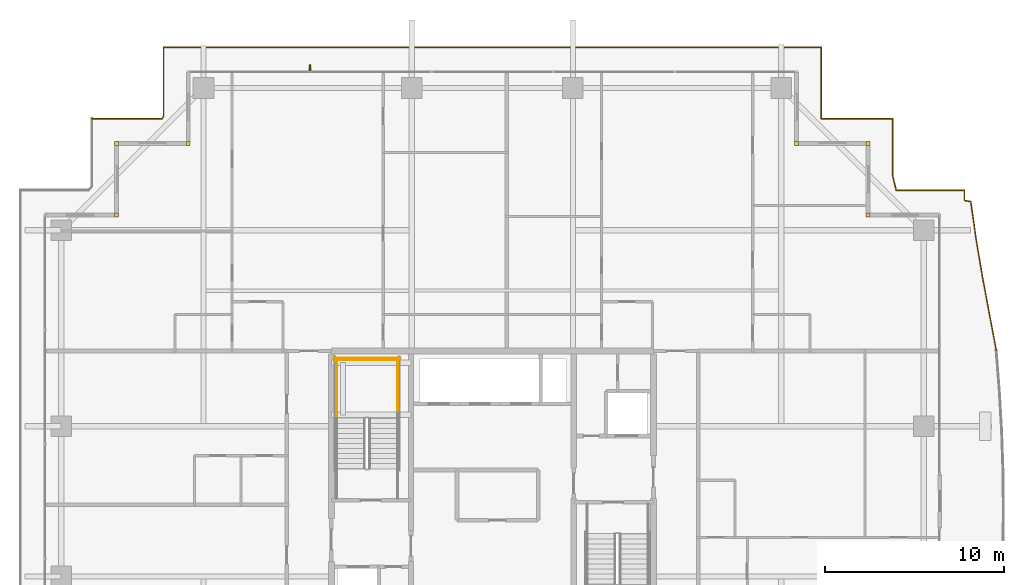
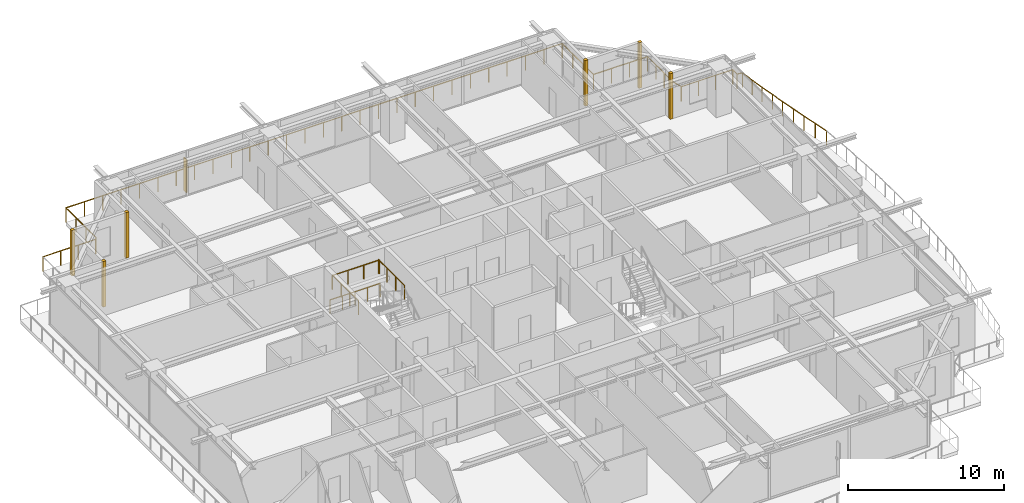
# One storey, part 37 of 37: 6 coverings, 6 railings, 1 shading device.
"""IFC4 building model written with IfcOpenShell, lengths in metres."""

from ifc_helpers import new_model, si_unit, direction, frame, origin, origin_2d, place, context, subcontext, project, spatial, rectangle, circle, extrude, source, transform, mapped, material, layer, layer_set, type_object, element, save


model = new_model("IFC4")

# Units and contexts
model_context = context("Model", 3, precision=1e-05, world=origin(), true_north=direction((0.0, 1.0)))
body_context = subcontext(model_context, "Body", "Model", "MODEL_VIEW")
ifc_project = project(units=[si_unit("LENGTHUNIT", "METRE"), si_unit("AREAUNIT", "SQUARE_METRE"), si_unit("VOLUMEUNIT", "CUBIC_METRE"), si_unit("PLANEANGLEUNIT", "RADIAN"), si_unit("MASSUNIT", "GRAM", prefix="KILO")], contexts=[model_context])

# Site, building, storey
site_placement = place(None, origin())
site = spatial("IfcSite", under=ifc_project, at=site_placement, CompositionType="ELEMENT")
building_placement = place(site_placement, origin())
building = spatial("IfcBuilding", under=site, at=building_placement, Name="Serunith Strait Residences", CompositionType="ELEMENT")
storey_placement = place(building_placement, frame((0.0, 0.0, 275.89990234375)))
storey = spatial("IfcBuildingStorey", under=building, at=storey_placement, Name="L69", CompositionType="ELEMENT", Elevation=275.89990234375)

# Railings
ifc_material_1 = material(Name="Stainless Steel & Laminated Glass Balustrade", Category="steel")
railing_type_1 = type_object("IfcRailingType", Name="RLG-BALC-1150", PredefinedType="BALUSTRADE", material=ifc_material_1)
railing_1_placement = place(storey_placement, frame((10.02001953125, 46.580078125, -0.0498046875)))
element("IfcRailing", 1, at=railing_1_placement, inside=storey, type_object=railing_type_1, Name="L69 Swirling Balcony Perimeter Balustrade 2", PredefinedType="BALUSTRADE", context=body_context, shape_type="SweptSolid", body=[
    extrude(circle(Radius=0.02392578125, at=origin_2d()), frame((0.001953125, 0.0, 1.1259765625), z_axis=(1.0, 0.0, 0.0), x_axis=(0.0, 1.0, 0.0)), (0.0, 0.0, 1.0), 3.89501953125),
    extrude(circle(Radius=0.02392578125, at=origin_2d()), frame((3.89990234375, 0.001708984375, 1.1259765625), z_axis=(0.547356223896, 0.836899733638, 0.0), x_axis=(-0.836899733638, 0.547356223896, 0.0)), (0.0, 0.0, 1.0), 0.1806640625),
    extrude(circle(Radius=0.02392578125, at=origin_2d()), frame((4.0, 0.156494140625, 1.1259765625), z_axis=(0.0, 1.0, 0.0), x_axis=(-1.0, 0.0, 0.0)), (0.0, 0.0, 1.0), 3.841552734375),
    extrude(circle(Radius=0.02392578125, at=origin_2d()), frame((4.001953125, 4.0, 1.1259765625), z_axis=(1.0, 0.0, 0.0), x_axis=(0.0, 1.0, 0.0)), (0.0, 0.0, 1.0), 36.756103515625),
    extrude(circle(Radius=0.02392578125, at=origin_2d()), frame((40.760009765625, 3.998046875, 1.1259765625), z_axis=(0.0, -1.0, 0.0), x_axis=(1.0, 0.0, 0.0)), (0.0, 0.0, 1.0), 3.99609375),
    extrude(circle(Radius=0.02392578125, at=origin_2d()), frame((40.761962890625, 0.0, 1.1259765625), z_axis=(1.0, 0.0, 0.0), x_axis=(0.0, 1.0, 0.0)), (0.0, 0.0, 1.0), 3.99609375),
    extrude(circle(Radius=0.02392578125, at=origin_2d()), frame((44.760009765625, -0.001953125, 1.1259765625), z_axis=(0.0, -1.0, 0.0), x_axis=(1.0, 0.0, 0.0)), (0.0, 0.0, 1.0), 3.210205078125),
    extrude(circle(Radius=0.02392578125, at=origin_2d()), frame((44.760498046875, -3.216064453125, 1.1259765625), z_axis=(0.236921440453, -0.971528811232, 0.0), x_axis=(0.971528811232, 0.236921440453, 0.0)), (0.0, 0.0, 1.0), 0.804931640625),
    extrude(circle(Radius=0.02099609375, at=origin_2d()), origin(), (0.0, 0.0, 1.0), 1.099853515625),
    extrude(circle(Radius=0.02099609375, at=origin_2d()), frame((1.299560546875, 0.0, 0.0)), (0.0, 0.0, 1.0), 1.099853515625),
    extrude(circle(Radius=0.02099609375, at=origin_2d()), frame((2.599365234375, 0.0, 0.0)), (0.0, 0.0, 1.0), 1.099853515625),
    extrude(circle(Radius=0.02099609375, at=origin_2d()), frame((3.89892578125, 0.0, 0.0)), (0.0, 0.0, 1.0), 1.099853515625),
    extrude(circle(Radius=0.02099609375, at=origin_2d()), frame((4.0, 0.154541015625, 0.0)), (0.0, 0.0, 1.0), 1.099853515625),
    extrude(circle(Radius=0.02099609375, at=origin_2d()), frame((4.0, 1.436279296875, 0.0)), (0.0, 0.0, 1.0), 1.099853515625),
    extrude(circle(Radius=0.02099609375, at=origin_2d()), frame((4.0, 2.71826171875, 0.0)), (0.0, 0.0, 1.0), 1.099853515625),
    extrude(circle(Radius=0.02099609375, at=origin_2d()), frame((4.0, 4.0, 0.0)), (0.0, 0.0, 1.0), 1.099853515625),
    extrude(circle(Radius=0.02099609375, at=origin_2d()), frame((5.361572265625, 4.0, 0.0)), (0.0, 0.0, 1.0), 1.099853515625),
    extrude(circle(Radius=0.02099609375, at=origin_2d()), frame((6.722900390625, 4.0, 0.0)), (0.0, 0.0, 1.0), 1.099853515625),
    extrude(circle(Radius=0.02099609375, at=origin_2d()), frame((8.08447265625, 4.0, 0.0)), (0.0, 0.0, 1.0), 1.099853515625),
    extrude(circle(Radius=0.02099609375, at=origin_2d()), frame((9.446044921875, 4.0, 0.0)), (0.0, 0.0, 1.0), 1.099853515625),
    extrude(circle(Radius=0.02099609375, at=origin_2d()), frame((10.807373046875, 4.0, 0.0)), (0.0, 0.0, 1.0), 1.099853515625),
    extrude(circle(Radius=0.02099609375, at=origin_2d()), frame((12.1689453125, 4.0, 0.0)), (0.0, 0.0, 1.0), 1.099853515625),
    extrude(circle(Radius=0.02099609375, at=origin_2d()), frame((13.5302734375, 4.0, 0.0)), (0.0, 0.0, 1.0), 1.099853515625),
    extrude(circle(Radius=0.02099609375, at=origin_2d()), frame((14.891845703125, 4.0, 0.0)), (0.0, 0.0, 1.0), 1.099853515625),
    extrude(circle(Radius=0.02099609375, at=origin_2d()), frame((16.25341796875, 4.0, 0.0)), (0.0, 0.0, 1.0), 1.099853515625),
    extrude(circle(Radius=0.02099609375, at=origin_2d()), frame((17.61474609375, 4.0, 0.0)), (0.0, 0.0, 1.0), 1.099853515625),
    extrude(circle(Radius=0.02099609375, at=origin_2d()), frame((18.976318359375, 4.0, 0.0)), (0.0, 0.0, 1.0), 1.099853515625),
    extrude(circle(Radius=0.02099609375, at=origin_2d()), frame((20.337890625, 4.0, 0.0)), (0.0, 0.0, 1.0), 1.099853515625),
    extrude(circle(Radius=0.02099609375, at=origin_2d()), frame((21.69921875, 4.0, 0.0)), (0.0, 0.0, 1.0), 1.099853515625),
    extrude(circle(Radius=0.02099609375, at=origin_2d()), frame((23.060791015625, 4.0, 0.0)), (0.0, 0.0, 1.0), 1.099853515625),
    extrude(circle(Radius=0.02099609375, at=origin_2d()), frame((24.422119140625, 4.0, 0.0)), (0.0, 0.0, 1.0), 1.099853515625),
    extrude(circle(Radius=0.02099609375, at=origin_2d()), frame((25.78369140625, 4.0, 0.0)), (0.0, 0.0, 1.0), 1.099853515625),
    extrude(circle(Radius=0.02099609375, at=origin_2d()), frame((27.145263671875, 4.0, 0.0)), (0.0, 0.0, 1.0), 1.099853515625),
    extrude(circle(Radius=0.02099609375, at=origin_2d()), frame((28.506591796875, 4.0, 0.0)), (0.0, 0.0, 1.0), 1.099853515625),
    extrude(circle(Radius=0.02099609375, at=origin_2d()), frame((29.8681640625, 4.0, 0.0)), (0.0, 0.0, 1.0), 1.099853515625),
    extrude(circle(Radius=0.02099609375, at=origin_2d()), frame((31.229736328125, 4.0, 0.0)), (0.0, 0.0, 1.0), 1.099853515625),
    extrude(circle(Radius=0.02099609375, at=origin_2d()), frame((32.591064453125, 4.0, 0.0)), (0.0, 0.0, 1.0), 1.099853515625),
    extrude(circle(Radius=0.02099609375, at=origin_2d()), frame((33.95263671875, 4.0, 0.0)), (0.0, 0.0, 1.0), 1.099853515625),
    extrude(circle(Radius=0.02099609375, at=origin_2d()), frame((35.31396484375, 4.0, 0.0)), (0.0, 0.0, 1.0), 1.099853515625),
    extrude(circle(Radius=0.02099609375, at=origin_2d()), frame((36.675537109375, 4.0, 0.0)), (0.0, 0.0, 1.0), 1.099853515625),
    extrude(circle(Radius=0.02099609375, at=origin_2d()), frame((38.037109375, 4.0, 0.0)), (0.0, 0.0, 1.0), 1.099853515625),
    extrude(circle(Radius=0.02099609375, at=origin_2d()), frame((39.3984375, 4.0, 0.0)), (0.0, 0.0, 1.0), 1.099853515625),
    extrude(circle(Radius=0.02099609375, at=origin_2d()), frame((40.760009765625, 4.0, 0.0)), (0.0, 0.0, 1.0), 1.099853515625),
    extrude(circle(Radius=0.02099609375, at=origin_2d()), frame((40.760009765625, 2.666748046875, 0.0)), (0.0, 0.0, 1.0), 1.099853515625),
    extrude(circle(Radius=0.02099609375, at=origin_2d()), frame((40.760009765625, 1.333251953125, 0.0)), (0.0, 0.0, 1.0), 1.099853515625),
    extrude(circle(Radius=0.02099609375, at=origin_2d()), frame((40.760009765625, 0.0, 0.0)), (0.0, 0.0, 1.0), 1.099853515625),
    extrude(circle(Radius=0.02099609375, at=origin_2d()), frame((42.09326171875, 0.0, 0.0)), (0.0, 0.0, 1.0), 1.099853515625),
    extrude(circle(Radius=0.02099609375, at=origin_2d()), frame((43.4267578125, 0.0, 0.0)), (0.0, 0.0, 1.0), 1.099853515625),
    extrude(circle(Radius=0.02099609375, at=origin_2d()), frame((44.760009765625, 0.0, 0.0)), (0.0, 0.0, 1.0), 1.099853515625),
    extrude(circle(Radius=0.02099609375, at=origin_2d()), frame((44.760009765625, -1.0712890625, 0.0)), (0.0, 0.0, 1.0), 1.099853515625),
    extrude(circle(Radius=0.02099609375, at=origin_2d()), frame((44.760009765625, -2.142822265625, 0.0)), (0.0, 0.0, 1.0), 1.099853515625),
    extrude(circle(Radius=0.02099609375, at=origin_2d()), frame((44.760009765625, -3.214111328125, 0.0)), (0.0, 0.0, 1.0), 1.099853515625),
    extrude(circle(Radius=0.02099609375, at=origin_2d()), frame((44.95166015625, -4.0, 0.0)), (0.0, 0.0, 1.0), 1.099853515625),
])
railing_2_placement = place(storey_placement, frame((54.9716796875, 42.580078125, -0.0498046875)))
element("IfcRailing", 2, at=railing_2_placement, inside=storey, type_object=railing_type_1, Name="L69 Swirling Balcony Perimeter Balustrade 3", PredefinedType="BALUSTRADE", context=body_context, shape_type="SweptSolid", body=[
    extrude(circle(Radius=0.02392578125, at=origin_2d()), frame((0.001953125, 0.0, 1.1259765625), z_axis=(1.0, 0.0, 0.0), x_axis=(0.0, 1.0, 0.0)), (0.0, 0.0, 1.0), 3.804443359375),
    extrude(circle(Radius=0.02392578125, at=origin_2d()), frame((3.808349609375, -0.001953125, 1.1259765625), z_axis=(0.0, -1.0, 0.0), x_axis=(1.0, 0.0, 0.0)), (0.0, 0.0, 1.0), 0.559814453125),
    extrude(circle(Radius=0.02392578125, at=origin_2d()), frame((3.810302734375, -0.56396484375, 1.1259765625), z_axis=(0.986138566731, -0.165923859661, 0.0), x_axis=(0.165923859661, 0.986138566731, 0.0)), (0.0, 0.0, 1.0), 0.359375),
    extrude(circle(Radius=0.02392578125, at=origin_2d()), frame((4.1669921875, -0.6259765625, 1.1259765625), z_axis=(0.139985580281, -0.990153542292, 0.0), x_axis=(0.990153542292, 0.139985580281, 0.0)), (0.0, 0.0, 1.0), 2.04345703125),
    extrude(circle(Radius=0.02392578125, at=origin_2d()), frame((4.45361328125, -2.6533203125, 1.1259765625), z_axis=(0.164684908244, -0.98634622775, 0.0), x_axis=(0.98634622775, 0.164684908244, 0.0)), (0.0, 0.0, 1.0), 2.072998046875),
    extrude(circle(Radius=0.02392578125, at=origin_2d()), frame((4.795654296875, -4.701904296875, 1.1259765625), z_axis=(0.182274568181, -0.983247670628, 0.0), x_axis=(0.983247670628, 0.182274568181, 0.0)), (0.0, 0.0, 1.0), 2.118896484375),
    extrude(circle(Radius=0.02392578125, at=origin_2d()), frame((5.182861328125, -6.789306640625, 1.1259765625), z_axis=(0.186685475972, -0.982419733648, 0.0), x_axis=(0.982419733648, 0.186685475972, 0.0)), (0.0, 0.0, 1.0), 2.1787109375),
    extrude(circle(Radius=0.02099609375, at=origin_2d()), origin(), (0.0, 0.0, 1.0), 1.099853515625),
    extrude(circle(Radius=0.02099609375, at=origin_2d()), frame((1.26953125, 0.0, 0.0)), (0.0, 0.0, 1.0), 1.099853515625),
    extrude(circle(Radius=0.02099609375, at=origin_2d()), frame((2.538818359375, 0.0, 0.0)), (0.0, 0.0, 1.0), 1.099853515625),
    extrude(circle(Radius=0.02099609375, at=origin_2d()), frame((3.808349609375, 0.0, 0.0)), (0.0, 0.0, 1.0), 1.099853515625),
    extrude(circle(Radius=0.02099609375, at=origin_2d()), frame((3.808349609375, -0.563720703125, 0.0)), (0.0, 0.0, 1.0), 1.099853515625),
    extrude(circle(Radius=0.02099609375, at=origin_2d()), frame((4.166748046875, -0.6240234375, 0.0)), (0.0, 0.0, 1.0), 1.099853515625),
    extrude(circle(Radius=0.02099609375, at=origin_2d()), frame((4.31005859375, -1.6376953125, 0.0)), (0.0, 0.0, 1.0), 1.099853515625),
    extrude(circle(Radius=0.02099609375, at=origin_2d()), frame((4.453369140625, -2.6513671875, 0.0)), (0.0, 0.0, 1.0), 1.099853515625),
    extrude(circle(Radius=0.02099609375, at=origin_2d()), frame((4.62451171875, -3.67578125, 0.0)), (0.0, 0.0, 1.0), 1.099853515625),
    extrude(circle(Radius=0.02099609375, at=origin_2d()), frame((4.79541015625, -4.699951171875, 0.0)), (0.0, 0.0, 1.0), 1.099853515625),
    extrude(circle(Radius=0.02099609375, at=origin_2d()), frame((4.98876953125, -5.74365234375, 0.0)), (0.0, 0.0, 1.0), 1.099853515625),
    extrude(circle(Radius=0.02099609375, at=origin_2d()), frame((5.182373046875, -6.787353515625, 0.0)), (0.0, 0.0, 1.0), 1.099853515625),
    extrude(circle(Radius=0.02099609375, at=origin_2d()), frame((5.38623046875, -7.859375, 0.0)), (0.0, 0.0, 1.0), 1.099853515625),
    extrude(circle(Radius=0.02099609375, at=origin_2d()), frame((5.58984375, -8.931640625, 0.0)), (0.0, 0.0, 1.0), 1.099853515625),
])
ifc_material_2 = material(Name="Brushed stainless steel 316L", Category="steel")
railing_type_2 = type_object("IfcRailingType", Name="RLG-STAIR-GUARD", PredefinedType="BALUSTRADE", material=ifc_material_2)
for number, where, name in (
    (3, (27.10009765625, 29.830078125, 1.925048828125), "L69 ST-1 stair guard 3"),
    (4, (23.699951171875, 29.830078125, 1.925048828125), "L69 ST-1 stair guard 4"),
):
    element("IfcRailing", number, at=place(storey_placement, frame(where)), inside=storey, type_object=railing_type_2, Name=name, PredefinedType="BALUSTRADE", context=body_context, shape_type="SweptSolid", body=[
        extrude(circle(Radius=0.02392578125, at=origin_2d()), frame((0.0, 0.001953125, 1.076171875), z_axis=(0.0, 1.0, 0.0), x_axis=(-1.0, 0.0, 0.0)), (0.0, 0.0, 1.0), 3.31591796875),
        extrude(circle(Radius=0.02099609375, at=origin_2d()), origin(), (0.0, 0.0, 1.0), 1.050048828125),
        extrude(circle(Radius=0.02099609375, at=origin_2d()), frame((0.0, 1.106689453125, 0.0)), (0.0, 0.0, 1.0), 1.050048828125),
        extrude(circle(Radius=0.02099609375, at=origin_2d()), frame((0.0, 2.213134765625, 0.0)), (0.0, 0.0, 1.0), 1.050048828125),
        extrude(circle(Radius=0.02099609375, at=origin_2d()), frame((0.0, 3.31982421875, 0.0)), (0.0, 0.0, 1.0), 1.050048828125),
    ])
railing_3_placement = place(storey_placement, frame((27.14990234375, 33.10009765625, 1.925048828125)))
element("IfcRailing", 5, at=railing_3_placement, inside=storey, type_object=railing_type_2, Name="L69 ST-1 stair guard 5", PredefinedType="BALUSTRADE", context=body_context, shape_type="SweptSolid", body=[
    extrude(circle(Radius=0.02392578125, at=origin_2d()), frame((-0.001953125, 0.0, 1.076171875), z_axis=(-1.0, 0.0, 0.0), x_axis=(0.0, -1.0, 0.0)), (0.0, 0.0, 1.0), 3.49609375),
    extrude(circle(Radius=0.02099609375, at=origin_2d()), origin(), (0.0, 0.0, 1.0), 1.050048828125),
    extrude(circle(Radius=0.02099609375, at=origin_2d()), frame((-1.166748046875, 0.0, 0.0)), (0.0, 0.0, 1.0), 1.050048828125),
    extrude(circle(Radius=0.02099609375, at=origin_2d()), frame((-2.333251953125, 0.0, 0.0)), (0.0, 0.0, 1.0), 1.050048828125),
    extrude(circle(Radius=0.02099609375, at=origin_2d()), frame((-3.5, 0.0, 0.0)), (0.0, 0.0, 1.0), 1.050048828125),
])
railing_4_placement = place(storey_placement, frame((27.25, 33.199951171875, 0.0)))
element("IfcRailing", 6, at=railing_4_placement, inside=storey, type_object=railing_type_2, Name="L69 ST-1 stair guard 12", PredefinedType="BALUSTRADE", context=body_context, shape_type="SweptSolid", body=[
    extrude(circle(Radius=0.02392578125, at=origin_2d()), frame((-0.001953125, 0.0, 1.076171875), z_axis=(-1.0, 0.0, 0.0), x_axis=(0.0, -1.0, 0.0)), (0.0, 0.0, 1.0), 3.696044921875),
    extrude(circle(Radius=0.02099609375, at=origin_2d()), origin(), (0.0, 0.0, 1.0), 1.050048828125),
    extrude(circle(Radius=0.02099609375, at=origin_2d()), frame((-0.925048828125, 0.0, 0.0)), (0.0, 0.0, 1.0), 1.050048828125),
    extrude(circle(Radius=0.02099609375, at=origin_2d()), frame((-1.85009765625, 0.0, 0.0)), (0.0, 0.0, 1.0), 1.050048828125),
    extrude(circle(Radius=0.02099609375, at=origin_2d()), frame((-2.77490234375, 0.0, 0.0)), (0.0, 0.0, 1.0), 1.050048828125),
    extrude(circle(Radius=0.02099609375, at=origin_2d()), frame((-3.699951171875, 0.0, 0.0)), (0.0, 0.0, 1.0), 1.050048828125),
])

# Shading device
ifc_material_3 = material(Name="Pale-Champagne Perforated Aluminium Fin", Category="aluminium")
shading_device_type = type_object("IfcShadingDeviceType", Name="SHD-DIAG-FIN", PredefinedType="AWNING", material=ifc_material_3)
shared_shape_1 = source(origin(), body_context, "Body", "SweptSolid", [
    extrude(rectangle(XDim=0.080078125, YDim=0.35009765625, at=origin_2d()), origin(), (0.0, 0.0, 1.0), 2.60009765625),
])
shading_device_placement = place(storey_placement, frame((22.199951171875, 49.419921875, 0.199951171875), z_axis=(0.0, 0.0, 1.0), x_axis=(1.0, 0.0, 0.0)))
element("IfcShadingDevice", 7, at=shading_device_placement, inside=storey, type_object=shading_device_type, Name="L69 Diagonal Rhythm Solar Fin N", PredefinedType="AWNING", context=body_context, shape_type="MappedRepresentation", body=[
    mapped(shared_shape_1, transform((0.0, 0.0, 0.0), scale=1.0)),
])

# Coverings
ifc_material_4 = material(Name="Pale-Champagne Anodised Aluminium", Category="aluminium")
ifc_layer = layer(ifc_material_4, 0.219970703125, Name="Pale-Champagne Anodised Aluminium")
ifc_layer_set = layer_set([ifc_layer], Name="Pale-Champagne Anodised Aluminium")
covering_type = type_object("IfcCoveringType", Name="COV-CORN-TRIM", PredefinedType="CLADDING", material=ifc_layer_set)
shared_shape_2 = source(origin(), body_context, "Body", "SweptSolid", [
    extrude(rectangle(XDim=0.221923828125, YDim=0.221923828125, at=origin_2d()), origin(), (0.0, 0.0, 1.0), 3.574951171875),
])
for number, where, z_axis, x_axis, name in (
    (8, (53.39990234375, 41.199951171875, 0.0), (0.0, 0.0, 1.0), (1.0, 0.0, 0.0), "L69 Girih Serrated Corner Trim Post 07"),
    (9, (53.39990234375, 45.199951171875, 0.0), (0.0, 0.0, 1.0), (1.0, 0.0, 0.0), "L69 Girih Serrated Corner Trim Post 08"),
    (10, (49.39990234375, 45.199951171875, 0.0), (0.0, 0.0, 1.0), (1.0, 0.0, 0.0), "L69 Girih Serrated Corner Trim Post 09"),
    (11, (15.39990234375, 45.199951171875, 0.0), (0.0, 0.0, 1.0), (1.0, 0.0, 0.0), "L69 Girih Serrated Corner Trim Post 12"),
    (12, (11.39990234375, 45.199951171875, 0.0), (0.0, 0.0, 1.0), (1.0, 0.0, 0.0), "L69 Girih Serrated Corner Trim Post 13"),
    (13, (11.39990234375, 41.199951171875, 0.0), (0.0, 0.0, 1.0), (1.0, 0.0, 0.0), "L69 Girih Serrated Corner Trim Post 14"),
):
    element("IfcCovering", number, at=place(storey_placement, frame(where, z_axis=z_axis, x_axis=x_axis)), inside=storey, type_object=covering_type, Name=name, PredefinedType="CLADDING", context=body_context, shape_type="MappedRepresentation", body=[
        mapped(shared_shape_2, transform((0.0, 0.0, 0.0), scale=1.0)),
    ])

save(model, "model.ifc")
